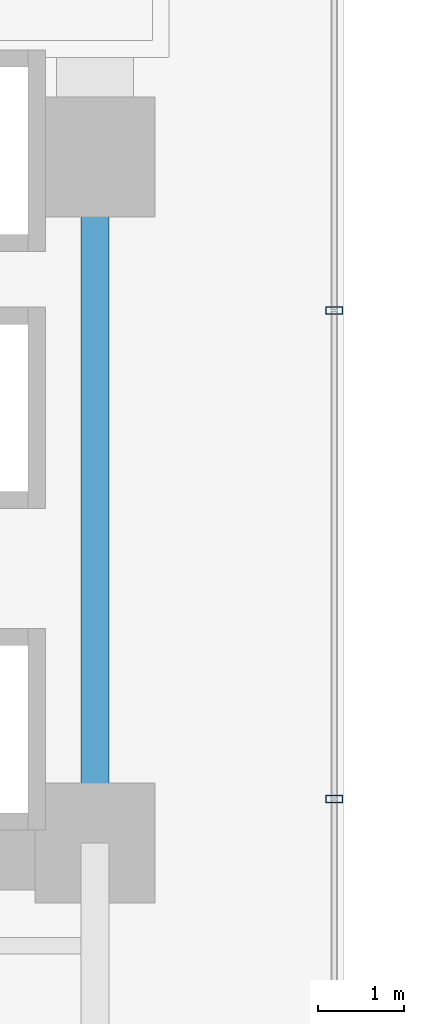
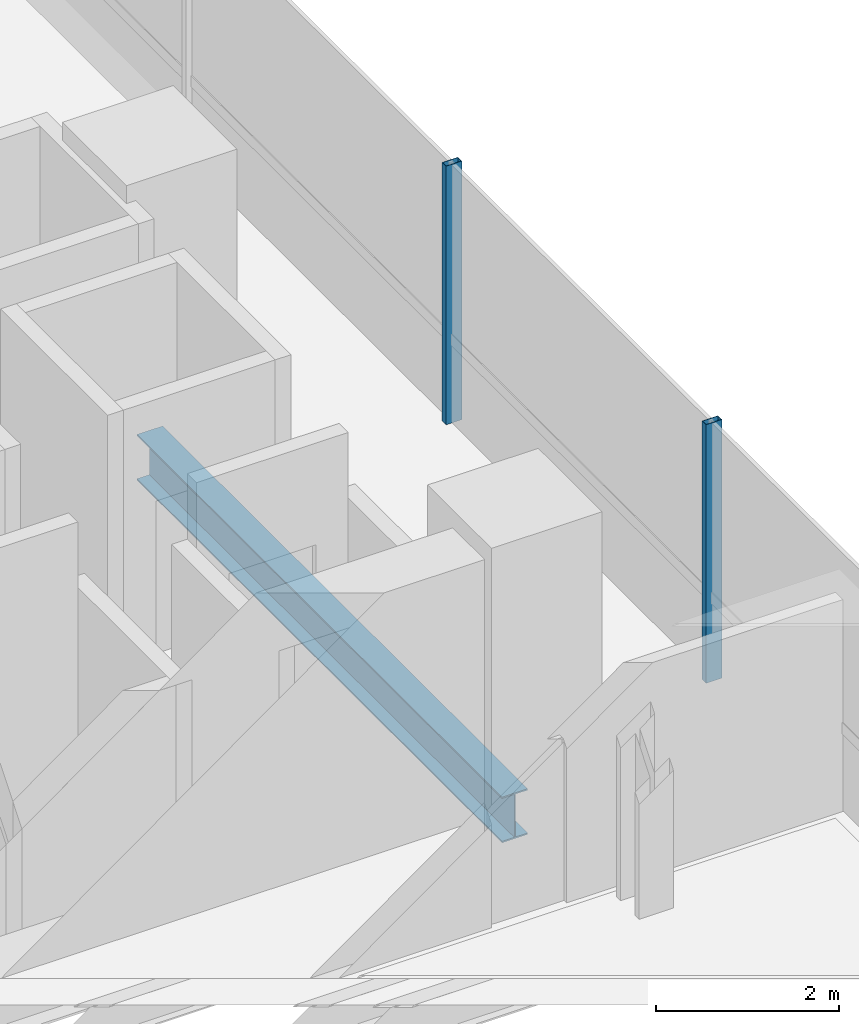
# One storey, part 6 of 41: 2 members, 1 beam, 1 element without a shape of its own.
"""IFC4 building model written with IfcOpenShell, lengths in metres."""

from ifc_helpers import new_model, si_unit, direction, frame, origin, origin_2d, place, context, subcontext, project, spatial, hollow_rectangle, i_section, extrude, source, transform, mapped, material, material_profile, profile_set, type_object, element, aggregate, save


model = new_model("IFC4")

# Units and contexts
model_context = context("Model", 3, precision=1e-05, world=origin(), true_north=direction((0.0, 1.0)))
body_context = subcontext(model_context, "Body", "Model", "MODEL_VIEW")
ifc_project = project(units=[si_unit("LENGTHUNIT", "METRE"), si_unit("AREAUNIT", "SQUARE_METRE"), si_unit("VOLUMEUNIT", "CUBIC_METRE"), si_unit("PLANEANGLEUNIT", "RADIAN"), si_unit("MASSUNIT", "GRAM", prefix="KILO")], contexts=[model_context])

# Site, building, storey
site_placement = place(None, origin())
site = spatial("IfcSite", under=ifc_project, at=site_placement, CompositionType="ELEMENT")
building_placement = place(site_placement, origin())
building = spatial("IfcBuilding", under=site, at=building_placement, Name="Valdorenza Pilgrim Sanctuary Tower", CompositionType="ELEMENT")
storey_placement = place(building_placement, frame((0.0, 0.0, 63.0)))
storey = spatial("IfcBuildingStorey", under=building, at=storey_placement, Name="L15", CompositionType="ELEMENT", Elevation=63.0)

# Beam
ifc_material_1 = material(Name="Steel ASTM A992 Grade 50", Category="steel")
ifc_material_profile_1 = material_profile(ifc_material_1, i_section(OverallWidth=0.323974609375, OverallDepth=0.611083984375, WebThickness=0.0126953125, FlangeThickness=0.01904296875, at=origin_2d()), Name="W24X104")
ifc_profile_set_1 = profile_set([ifc_material_profile_1], Name="Steel ASTM A992 Grade 50")
beam_type = type_object("IfcBeamType", Name="STR-BM-GRD-W24B", PredefinedType="BEAM", material=ifc_profile_set_1)
shared_shape_1 = source(origin(), body_context, "Body", "SweptSolid", [
    extrude(i_section(OverallWidth=0.323974609375, OverallDepth=0.611083984375, WebThickness=0.0126953125, FlangeThickness=0.01904296875, at=origin_2d()), origin(), (0.0, 0.0, 1.0), 8.0),
])
beam_placement = place(storey_placement, frame((-12.39990234375, -10.60009765625, -0.54541015625), z_axis=(0.0, 1.0, 0.0), x_axis=(-1.0, 0.0, 0.0)))
element("IfcBeam", 1, at=beam_placement, inside=storey, type_object=beam_type, Name="L15 Core Tie Girder CA-E-S1M0", PredefinedType="BEAM", context=body_context, shape_type="MappedRepresentation", body=[
    mapped(shared_shape_1, transform((0.0, 0.0, 0.0), x_axis=(1.0, 0.0, 0.0), y_axis=(0.0, 1.0, 0.0), z_axis=(0.0, 0.0, 1.0), scale=1.0)),
])

# Curtain wall, members
ifc_material_2 = material(Name="Curtain-wall IGU glazing", Category="glass")
curtain_wall_type = type_object("IfcCurtainWallType", Name="CW-SYS-02", PredefinedType="NOTDEFINED", material=ifc_material_2)
curtain_wall_placement = place(storey_placement, origin())
curtain_wall = element("IfcCurtainWall", 2, at=curtain_wall_placement, inside=storey, type_object=curtain_wall_type, Name="L15 Curtain Wall CW-L15-1-41", PredefinedType="NOTDEFINED")
ifc_material_3 = material(Name="Anodised aluminium AW-6060", Category="aluminium")
ifc_material_profile_2 = material_profile(ifc_material_3, hollow_rectangle(XDim=0.0849609375, YDim=0.199951171875, WallThickness=0.0048828125, at=origin_2d()), Name="ALU-M 200x85x5")
ifc_profile_set_2 = profile_set([ifc_material_profile_2], Name="Anodised aluminium AW-6060")
member_type = type_object("IfcMemberType", Name="CW-MUL-02", PredefinedType="MULLION", material=ifc_profile_set_2)
shared_shape_2 = source(origin(), body_context, "Body", "SweptSolid", [
    extrude(hollow_rectangle(XDim=0.0849609375, YDim=0.199951171875, WallThickness=0.0048828125, at=origin_2d()), origin(), (0.0, 0.0, 1.0), 3.4599609375),
])
member_1_placement = place(storey_placement, frame((-9.610107421875, -4.38916015625, 0.0), z_axis=(0.0, 0.0, 1.0), x_axis=(0.0, -1.0, 0.0)))
member_1 = element("IfcMember", 3, at=member_1_placement, type_object=member_type, Name="CW-L15-1-41 Mullion 3", PredefinedType="MULLION", context=body_context, shape_type="MappedRepresentation", body=[
    mapped(shared_shape_2, transform((0.0, 0.0, 0.0), x_axis=(1.0, 0.0, 0.0), y_axis=(0.0, 1.0, 0.0), z_axis=(0.0, 0.0, 1.0), scale=1.0)),
])
member_2_placement = place(storey_placement, frame((-9.610107421875, -10.089111328125, 0.0), z_axis=(0.0, 0.0, 1.0), x_axis=(0.0, -1.0, 0.0)))
member_2 = element("IfcMember", 4, at=member_2_placement, type_object=member_type, Name="CW-L15-1-41 Mullion 4", PredefinedType="MULLION", context=body_context, shape_type="MappedRepresentation", body=[
    mapped(shared_shape_2, transform((0.0, 0.0, 0.0), x_axis=(1.0, 0.0, 0.0), y_axis=(0.0, 1.0, 0.0), z_axis=(0.0, 0.0, 1.0), scale=1.0)),
])
aggregate(curtain_wall, [member_1, member_2])

save(model, "model.ifc")
